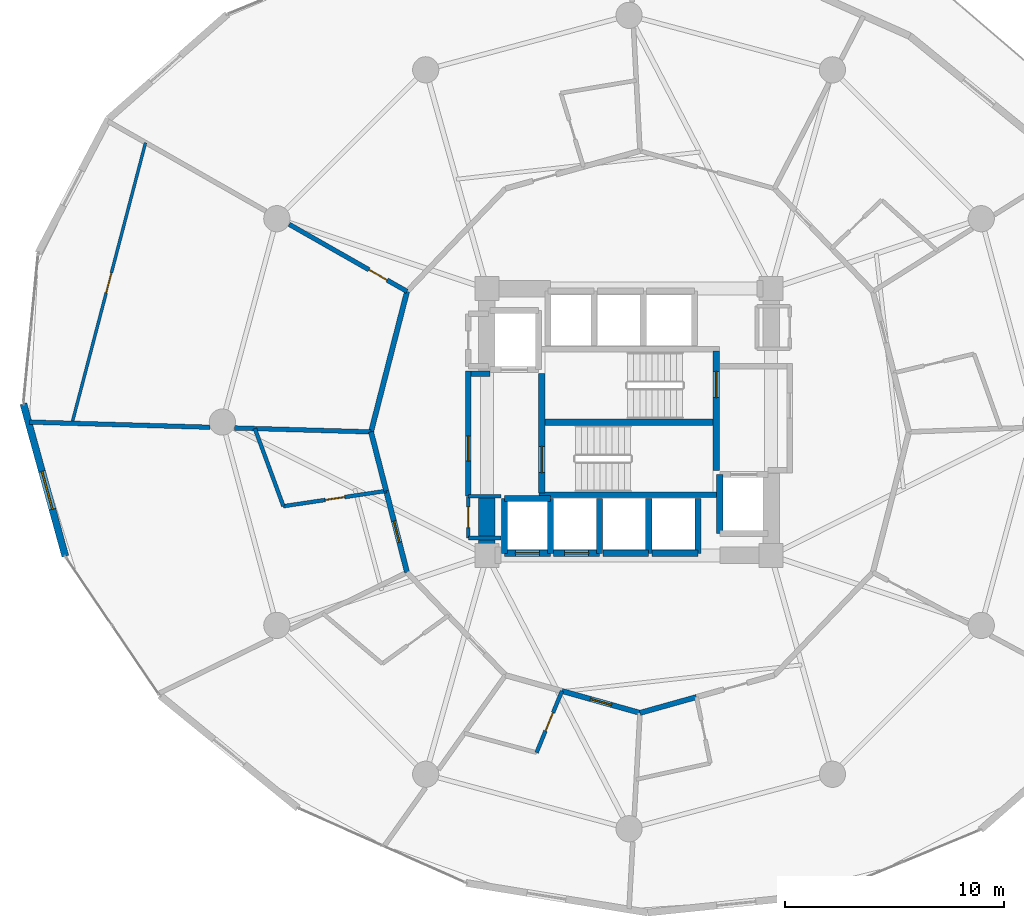
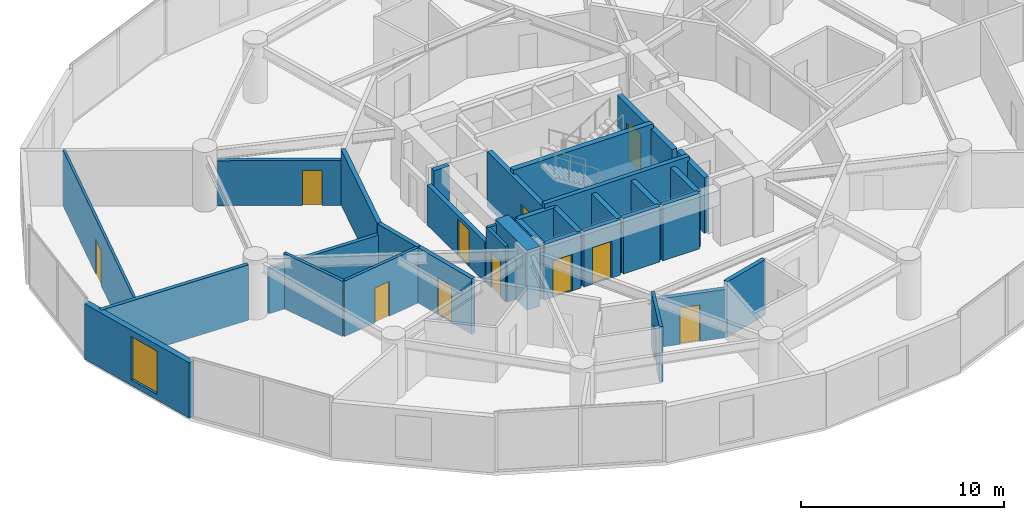
# One storey, part 20 of 26: 34 walls, 12 doors, 1 window, 13 openings.
"""IFC4 building model written with IfcOpenShell, lengths in metres."""

import ifcopenshell
import ifcopenshell.guid

model = None  # the IFC model being written
_history = None  # IfcOwnerHistory: only IFC2X3 demands one
_inside = {}  # id of a spatial element -> (the spatial element, [elements in it])
_under = {}  # id of a project, library or spatial element -> (it, [spatial elements below it])
_declared = {}  # id of a project -> (the project, [libraries it declares])
_typed = {}  # id of a type object -> (the type object, [elements of that type])
_made_of = {}  # id of a material, layer set ... -> (it, [elements and type objects made of it])


def new_model(schema):
    """Start an empty IFC model of exactly this schema.

    Asked for "IFC4X3", IfcOpenShell would pick the latest addendum, in which some entities
    have other attributes; the version numbers below select the first issue.
    IFC2X3 requires an IfcOwnerHistory on every rooted entity: one is made here for all.
    """
    global model, _history
    if schema == "IFC4X3":
        model = ifcopenshell.file(schema_version=(4, 3, 0, 0))
    else:
        model = ifcopenshell.file(schema=schema)
    _inside.clear()
    _under.clear()
    _declared.clear()
    _typed.clear()
    _made_of.clear()
    _history = None
    if model.schema == "IFC2X3":
        org = make("IfcOrganization", Name="unknown")
        user = make(
            "IfcPersonAndOrganization",
            ThePerson=make("IfcPerson", FamilyName="unknown"),
            TheOrganization=org,
        )
        app = make(
            "IfcApplication",
            ApplicationDeveloper=org,
            Version="unknown",
            ApplicationFullName="unknown",
            ApplicationIdentifier="unknown",
        )
        _history = make(
            "IfcOwnerHistory",
            OwningUser=user,
            OwningApplication=app,
            ChangeAction="ADDED",
            CreationDate=0,
        )
    return model


def make(cls, **values):
    """One entity of the class cls with the attributes given. An attribute that is None is left unset."""
    return model.create_entity(
        cls, **{name: value for name, value in values.items() if value is not None}
    )


def rooted(cls, **values):
    """An entity with a GlobalId (a new one), such as an element, a storey or a relation."""
    return make(cls, GlobalId=ifcopenshell.guid.new(), OwnerHistory=_history, **values)


def si_unit(unit_type, name, prefix=None):
    """IfcSIUnit, for example si_unit("LENGTHUNIT", "METRE", prefix="MILLI")."""
    return make("IfcSIUnit", UnitType=unit_type, Prefix=prefix, Name=name)


def assignment(units):
    """IfcUnitAssignment: the units of a project."""
    return None if units is None else make("IfcUnitAssignment", Units=units)


def point(xyz):
    """IfcCartesianPoint."""
    return None if xyz is None else make("IfcCartesianPoint", Coordinates=xyz)


def direction(xyz):
    """IfcDirection."""
    return None if xyz is None else make("IfcDirection", DirectionRatios=xyz)


def frame(location, z_axis=None, x_axis=None):
    """IfcAxis2Placement3D, a coordinate frame: its origin and axes. An axis left out is left unset."""
    return make(
        "IfcAxis2Placement3D",
        Location=point(location),
        Axis=direction(z_axis),
        RefDirection=direction(x_axis),
    )


def frame_2d(location, x_axis=None):
    """IfcAxis2Placement2D, a coordinate frame in the plane: its origin and x axis."""
    return make(
        "IfcAxis2Placement2D", Location=point(location), RefDirection=direction(x_axis)
    )


def origin():
    """The frame at (0, 0, 0) with its axes left unset."""
    return frame((0.0, 0.0, 0.0))


def place(relative_to, where):
    """IfcLocalPlacement: puts the frame where relative to a parent placement (None: the world)."""
    return make(
        "IfcLocalPlacement", PlacementRelTo=relative_to, RelativePlacement=where
    )


def context(
    kind, dimensions, precision=None, world=None, true_north=None, identifier=None
):
    """IfcGeometricRepresentationContext, for example the 3D "Model" context."""
    return make(
        "IfcGeometricRepresentationContext",
        ContextIdentifier=identifier,
        ContextType=kind,
        CoordinateSpaceDimension=dimensions,
        Precision=precision,
        WorldCoordinateSystem=world,
        TrueNorth=true_north,
    )


def subcontext(parent, identifier, kind, view, scale=None):
    """IfcGeometricRepresentationSubContext, for example "Body" below "Model"."""
    return make(
        "IfcGeometricRepresentationSubContext",
        ContextIdentifier=identifier,
        ContextType=kind,
        ParentContext=parent,
        TargetScale=scale,
        TargetView=view,
    )


def project(units=None, contexts=None):
    """IfcProject with its units and contexts."""
    return rooted(
        "IfcProject",
        Name="project",
        RepresentationContexts=contexts,
        UnitsInContext=assignment(units),
    )


def spatial(cls, under=None, at=None, **own):
    """A site, building, storey or space (cls), placed at a placement, below another one or the project."""
    s = rooted(cls, ObjectPlacement=at, **own)
    if under is not None:
        _under.setdefault(under.id(), (under, []))[1].append(s)
    return s


def profile(cls, at=None, kind="AREA", **sizes):
    """A parametric profile (cls). Its sizes go by their IFC names, for example OverallWidth=200.0."""
    return make(cls, ProfileType=kind, Position=at, **sizes)


def rectangle(**sizes):
    """IfcRectangleProfileDef."""
    return profile("IfcRectangleProfileDef", **sizes)


def extrude(swept, where, along, depth):
    """IfcExtrudedAreaSolid: the profile swept, set in the frame where, extruded along a direction by depth."""
    return make(
        "IfcExtrudedAreaSolid",
        SweptArea=swept,
        Position=where,
        ExtrudedDirection=direction(along),
        Depth=depth,
    )


def shape(context_of_items, identifier, shape_type, items):
    """IfcShapeRepresentation: the items that make up one representation, for example the "Body"."""
    return make(
        "IfcShapeRepresentation",
        ContextOfItems=context_of_items,
        RepresentationIdentifier=identifier,
        RepresentationType=shape_type,
        Items=items,
    )


def material(Name=None, Category=None):
    """IfcMaterial."""
    return make("IfcMaterial", Name=Name, Category=Category)


def layer(
    of_material, thickness, ventilated=None, Name=None, Category=None, Priority=None
):
    """IfcMaterialLayer: one layer of a wall or slab, of a material (None: an air gap)."""
    return make(
        "IfcMaterialLayer",
        Material=of_material,
        LayerThickness=thickness,
        IsVentilated=ventilated,
        Name=Name,
        Category=Category,
        Priority=Priority,
    )


def layer_set(layers, Name=None):
    """IfcMaterialLayerSet."""
    return make("IfcMaterialLayerSet", MaterialLayers=layers, LayerSetName=Name)


def made_of(thing, what):
    """Note that an element or type object is made of a material, layer set ...; save() writes the relation."""
    if what is not None:
        _made_of.setdefault(what.id(), (what, []))[1].append(thing)
    return thing


def type_object(cls, material=None, **own):
    """A type object (cls), such as IfcWallType, which elements share."""
    return made_of(rooted(cls, **own), material)


def element(
    cls,
    number,
    at=None,
    inside=None,
    cuts=None,
    type_object=None,
    material=None,
    context=None,
    identifier="Body",
    shape_type=None,
    held_by="IfcProductDefinitionShape",
    body=None,
    shapes=None,
    **own,
):
    """One element of the class cls, such as IfcWall. Its Tag is "e" and its number.

    at: its placement. inside: the storey or other place that contains it. cuts: it is an
    opening in that element (IfcRelVoidsElement). A single representation is given by context,
    identifier, shape_type and body (its items); several are given by shapes. held_by: the class
    of the entity that holds the representations. save() writes the other relations.
    """
    e = rooted(cls, Tag="e%d" % number, ObjectPlacement=at, **own)
    if body is not None:
        shapes = [shape(context, identifier, shape_type, body)]
    if shapes is not None:
        e.Representation = make(held_by, Representations=shapes)
    if inside is not None:
        _inside.setdefault(inside.id(), (inside, []))[1].append(e)
    if cuts is not None:
        rooted(
            "IfcRelVoidsElement", RelatingBuildingElement=cuts, RelatedOpeningElement=e
        )
    if type_object is not None:
        _typed.setdefault(type_object.id(), (type_object, []))[1].append(e)
    return made_of(e, material)


def fill(opening, filler):
    """IfcRelFillsElement: the door or window that sits in an opening."""
    return rooted(
        "IfcRelFillsElement",
        RelatingOpeningElement=opening,
        RelatedBuildingElement=filler,
    )


def aggregate(whole, parts):
    """IfcRelAggregates: a whole, such as a stair, and the parts it consists of."""
    return rooted("IfcRelAggregates", RelatingObject=whole, RelatedObjects=parts)


def save(model, path):
    """Write the relations noted so far, then the file.

    IfcRelAggregates (storeys below a building ...), IfcRelContainedInSpatialStructure (elements
    in a storey), IfcRelDefinesByType, IfcRelAssociatesMaterial and IfcRelDeclares: one each for
    every whole, place, type object, material and project.
    """
    for whole, parts in _under.values():
        aggregate(whole, parts)
    for where, things in _inside.values():
        rooted(
            "IfcRelContainedInSpatialStructure",
            RelatedElements=things,
            RelatingStructure=where,
        )
    for kind, things in _typed.values():
        rooted("IfcRelDefinesByType", RelatedObjects=things, RelatingType=kind)
    for what, things in _made_of.values():
        rooted("IfcRelAssociatesMaterial", RelatedObjects=things, RelatingMaterial=what)
    for by, libraries in _declared.values():
        rooted("IfcRelDeclares", RelatingContext=by, RelatedDefinitions=libraries)
    model.write(path)


model = new_model("IFC4")

# Units and contexts
model_context = context("Model", 3, precision=1e-05, world=origin(), true_north=direction((0.0, 1.0)))
body_context = subcontext(model_context, "Body", "Model", "MODEL_VIEW")
ifc_project = project(units=[si_unit("LENGTHUNIT", "METRE"), si_unit("AREAUNIT", "SQUARE_METRE"), si_unit("VOLUMEUNIT", "CUBIC_METRE"), si_unit("PLANEANGLEUNIT", "RADIAN"), si_unit("MASSUNIT", "GRAM", prefix="KILO")], contexts=[model_context])

# Site, building, storey
site_placement = place(None, origin())
site = spatial("IfcSite", under=ifc_project, at=site_placement, CompositionType="ELEMENT")
building_placement = place(site_placement, origin())
building = spatial("IfcBuilding", under=site, at=building_placement, Name="Solvirekh Grand Hotel", CompositionType="ELEMENT")
storey_placement = place(building_placement, frame((0.0, 0.0, 64.39990234375)))
storey = spatial("IfcBuildingStorey", under=building, at=storey_placement, Name="L15", CompositionType="ELEMENT", Elevation=64.39990234375)

# Wall
ifc_material_1 = material(Name="Concrete C50/60", Category="concrete")
ifc_layer_1 = layer(ifc_material_1, 0.35009765625)
ifc_layer_set_1 = layer_set([ifc_layer_1], Name="Concrete C50/60")
wall_type_1 = type_object("IfcWallType", Name="CoreDivWall_RC350", PredefinedType="SOLIDWALL", material=ifc_layer_set_1)
wall_1_placement = place(storey_placement, frame((-4.1298828125, -3.324951171875, 0.0), z_axis=(0.0, 0.0, 1.0), x_axis=(1.0, 0.0, 0.0)))
element("IfcWall", 1, at=wall_1_placement, inside=storey, type_object=wall_type_1, Name="L15 core stair box wall ST-S", PredefinedType="SOLIDWALL", context=body_context, shape_type="SweptSolid", body=[
    extrude(rectangle(XDim=8.259765625, YDim=0.25, at=frame_2d((4.1298828125, 0.0))), origin(), (0.0, 0.0, 1.0), 3.60009765625),
])

# Wall, opening, door
ifc_material_2 = material(Name="Concrete C40/50", Category="concrete")
ifc_layer_2 = layer(ifc_material_2, 0.280029296875)
ifc_layer_set_2 = layer_set([ifc_layer_2], Name="Concrete C40/50")
wall_type_2 = type_object("IfcWallType", Name="CoreShaftWall_RC280", PredefinedType="SOLIDWALL", material=ifc_layer_set_2)
wall_2_placement = place(storey_placement, frame((-5.699951171875, -6.0, 0.0), z_axis=(0.0, 0.0, 1.0), x_axis=(1.0, 0.0, 0.0)))
wall_2 = element("IfcWall", 2, at=wall_2_placement, inside=storey, type_object=wall_type_2, Name="L15 LP-1 hoistway S wall", PredefinedType="SOLIDWALL", context=body_context, shape_type="SweptSolid", body=[
    extrude(rectangle(XDim=2.099853515625, YDim=0.280029296875, at=frame_2d((1.0498046875, 0.0))), origin(), (0.0, 0.0, 1.0), 3.340087890625),
])
opening_1_placement = place(wall_2_placement, frame((0.5, 0.0, 0.0)))
opening_1 = element("IfcOpeningElement", 3, at=opening_1_placement, cuts=wall_2, Name="Opening LD01", PredefinedType="OPENING", context=body_context, shape_type="SweptSolid", body=[
    extrude(rectangle(XDim=1.10009765625, YDim=2.199951171875, at=frame_2d((0.550048828125, 1.10009765625))), frame((0.0, 0.14990234375, 0.0), z_axis=(0.0, -1.0, 0.0), x_axis=(1.0, 0.0, 0.0)), (0.0, 0.0, 1.0), 0.300048828125),
])
ifc_material_3 = material(Name="Fire-Rated Steel Door Assembly", Category="steel")
door_type_1 = type_object("IfcDoorType", Name="Door_LiftLanding_1100X2200", OperationType="SLIDING_TO_LEFT", PredefinedType="DOOR", material=ifc_material_3)
door_1_placement = place(opening_1_placement, origin())
door_1 = element("IfcDoor", 4, at=door_1_placement, inside=storey, type_object=door_type_1, Name="L15 LP-1 sliding lift landing door", OperationType="SLIDING_TO_LEFT", OverallHeight=2.199951171875, OverallWidth=1.10009765625, PredefinedType="DOOR", context=body_context, shape_type="SweptSolid", body=[
    extrude(rectangle(XDim=1.10009765625, YDim=2.199951171875, at=frame_2d((0.550048828125, 1.10009765625))), frame((0.0, 0.02490234375, 0.0), z_axis=(0.0, -1.0, 0.0), x_axis=(1.0, 0.0, 0.0)), (0.0, 0.0, 1.0), 0.050048828125),
])
fill(opening_1, door_1)

# Walls
wall_3_placement = place(storey_placement, frame((-3.60009765625, -3.5, 0.0), z_axis=(0.0, 0.0, 1.0), x_axis=(-1.0, 0.0, 0.0)))
element("IfcWall", 5, at=wall_3_placement, inside=storey, type_object=wall_type_2, Name="L15 LP-1 hoistway N wall", PredefinedType="SOLIDWALL", context=body_context, shape_type="SweptSolid", body=[
    extrude(rectangle(XDim=2.099853515625, YDim=0.280029296875, at=frame_2d((1.0498046875, 0.0))), origin(), (0.0, 0.0, 1.0), 3.340087890625),
])
for number, where, z_axis, x_axis, name in (
    (6, (-5.699951171875, -3.5, 0.0), (0.0, 0.0, 1.0), (0.0, -1.0, 0.0), "L15 LP-1 hoistway W wall"),
    (7, (-3.60009765625, -6.0, 0.0), (0.0, 0.0, 1.0), (0.0, 1.0, 0.0), "L15 LP-1 hoistway E wall"),
):
    element("IfcWall", number, at=place(storey_placement, frame(where, z_axis=z_axis, x_axis=x_axis)), inside=storey, type_object=wall_type_2, Name=name, PredefinedType="SOLIDWALL", context=body_context, shape_type="SweptSolid", body=[
        extrude(rectangle(XDim=2.5, YDim=0.280029296875, at=frame_2d((1.25, 0.0))), origin(), (0.0, 0.0, 1.0), 3.340087890625),
    ])

# Wall, opening, door
wall_4_placement = place(storey_placement, frame((-3.449951171875, -6.0, 0.0), z_axis=(0.0, 0.0, 1.0), x_axis=(1.0, 0.0, 0.0)))
wall_4 = element("IfcWall", 8, at=wall_4_placement, inside=storey, type_object=wall_type_2, Name="L15 LP-2 hoistway S wall", PredefinedType="SOLIDWALL", context=body_context, shape_type="SweptSolid", body=[
    extrude(rectangle(XDim=2.099853515625, YDim=0.280029296875, at=frame_2d((1.0498046875, 0.0))), origin(), (0.0, 0.0, 1.0), 3.340087890625),
])
opening_2_placement = place(wall_4_placement, frame((0.5, 0.0, 0.0)))
opening_2 = element("IfcOpeningElement", 9, at=opening_2_placement, cuts=wall_4, Name="Opening LD01", PredefinedType="OPENING", context=body_context, shape_type="SweptSolid", body=[
    extrude(rectangle(XDim=1.10009765625, YDim=2.199951171875, at=frame_2d((0.550048828125, 1.10009765625))), frame((0.0, 0.14990234375, 0.0), z_axis=(0.0, -1.0, 0.0), x_axis=(1.0, 0.0, 0.0)), (0.0, 0.0, 1.0), 0.300048828125),
])
door_2_placement = place(opening_2_placement, origin())
door_2 = element("IfcDoor", 10, at=door_2_placement, inside=storey, type_object=door_type_1, Name="L15 LP-2 sliding lift landing door", OperationType="SLIDING_TO_LEFT", OverallHeight=2.199951171875, OverallWidth=1.10009765625, PredefinedType="DOOR", context=body_context, shape_type="SweptSolid", body=[
    extrude(rectangle(XDim=1.10009765625, YDim=2.199951171875, at=frame_2d((0.550048828125, 1.10009765625))), frame((0.0, 0.02490234375, 0.0), z_axis=(0.0, -1.0, 0.0), x_axis=(1.0, 0.0, 0.0)), (0.0, 0.0, 1.0), 0.050048828125),
])
fill(opening_2, door_2)

# Walls
wall_5_placement = place(storey_placement, frame((-1.35009765625, -6.0, 0.0), z_axis=(0.0, 0.0, 1.0), x_axis=(0.0, 1.0, 0.0)))
element("IfcWall", 11, at=wall_5_placement, inside=storey, type_object=wall_type_2, Name="L15 LP-2 hoistway E wall", PredefinedType="SOLIDWALL", context=body_context, shape_type="SweptSolid", body=[
    extrude(rectangle(XDim=2.5, YDim=0.280029296875, at=frame_2d((1.25, 0.0))), origin(), (0.0, 0.0, 1.0), 3.340087890625),
])
wall_6_placement = place(storey_placement, frame((-1.199951171875, -6.0, 0.0), z_axis=(0.0, 0.0, 1.0), x_axis=(1.0, 0.0, 0.0)))
element("IfcWall", 12, at=wall_6_placement, inside=storey, type_object=wall_type_2, Name="L15 MP-1 hoistway S wall", PredefinedType="SOLIDWALL", context=body_context, shape_type="SweptSolid", body=[
    extrude(rectangle(XDim=2.099853515625, YDim=0.280029296875, at=frame_2d((1.0498046875, 0.0))), origin(), (0.0, 0.0, 1.0), 3.340087890625),
])
wall_7_placement = place(storey_placement, frame((0.89990234375, -6.0, 0.0), z_axis=(0.0, 0.0, 1.0), x_axis=(0.0, 1.0, 0.0)))
element("IfcWall", 13, at=wall_7_placement, inside=storey, type_object=wall_type_2, Name="L15 MP-1 hoistway E wall", PredefinedType="SOLIDWALL", context=body_context, shape_type="SweptSolid", body=[
    extrude(rectangle(XDim=2.5, YDim=0.280029296875, at=frame_2d((1.25, 0.0))), origin(), (0.0, 0.0, 1.0), 3.340087890625),
])
wall_8_placement = place(storey_placement, frame((1.050048828125, -6.0, 0.0), z_axis=(0.0, 0.0, 1.0), x_axis=(1.0, 0.0, 0.0)))
element("IfcWall", 14, at=wall_8_placement, inside=storey, type_object=wall_type_2, Name="L15 MP-2 hoistway S wall", PredefinedType="SOLIDWALL", context=body_context, shape_type="SweptSolid", body=[
    extrude(rectangle(XDim=2.099853515625, YDim=0.280029296875, at=frame_2d((1.0498046875, 0.0))), origin(), (0.0, 0.0, 1.0), 3.340087890625),
])
wall_9_placement = place(storey_placement, frame((3.14990234375, -6.0, 0.0), z_axis=(0.0, 0.0, 1.0), x_axis=(0.0, 1.0, 0.0)))
element("IfcWall", 15, at=wall_9_placement, inside=storey, type_object=wall_type_2, Name="L15 MP-2 hoistway E wall", PredefinedType="SOLIDWALL", context=body_context, shape_type="SweptSolid", body=[
    extrude(rectangle(XDim=2.5, YDim=0.280029296875, at=frame_2d((1.25, 0.0))), origin(), (0.0, 0.0, 1.0), 3.340087890625),
])
wall_10_placement = place(storey_placement, frame((4.14990234375, -2.39990234375, 0.0), z_axis=(0.0, 0.0, 1.0), x_axis=(0.0, -1.0, 0.0)))
element("IfcWall", 16, at=wall_10_placement, inside=storey, type_object=wall_type_2, Name="L15 FL-2 hoistway W wall", PredefinedType="SOLIDWALL", context=body_context, shape_type="SweptSolid", body=[
    extrude(rectangle(XDim=2.7001953125, YDim=0.280029296875, at=frame_2d((1.35009765625, 0.0))), origin(), (0.0, 0.0, 1.0), 3.340087890625),
])

# Wall, opening, door
wall_11_placement = place(storey_placement, frame((-3.989990234375, -3.25, 0.0), z_axis=(0.0, 0.0, 1.0), x_axis=(0.0, 1.0, 0.0)))
wall_11 = element("IfcWall", 17, at=wall_11_placement, inside=storey, type_object=wall_type_2, Name="L15 west stair landing enclosure wall", PredefinedType="SOLIDWALL", context=body_context, shape_type="SweptSolid", body=[
    extrude(rectangle(XDim=5.4599609375, YDim=0.280029296875, at=frame_2d((2.72998046875, 0.0))), origin(), (0.0, 0.0, 1.0), 3.340087890625),
])
opening_3_placement = place(wall_11_placement, frame((0.93701171875, 0.0, 0.0)))
opening_3 = element("IfcOpeningElement", 18, at=opening_3_placement, cuts=wall_11, Name="Opening D05", PredefinedType="OPENING", context=body_context, shape_type="SweptSolid", body=[
    extrude(rectangle(XDim=1.199951171875, YDim=2.199951171875, at=frame_2d((0.60009765625, 1.10009765625))), frame((0.0, 0.14990234375, 0.0), z_axis=(0.0, -1.0, 0.0), x_axis=(1.0, 0.0, 0.0)), (0.0, 0.0, 1.0), 0.300048828125),
])
door_type_2 = type_object("IfcDoorType", Name="Door_StairCore_1200X2200", OperationType="NOTDEFINED", PredefinedType="DOOR", material=ifc_material_3)
door_3_placement = place(opening_3_placement, origin())
door_3 = element("IfcDoor", 19, at=door_3_placement, inside=storey, type_object=door_type_2, Name="L15 exit stair ST-1 fire door", OperationType="SINGLE_SWING_RIGHT", OverallHeight=2.199951171875, OverallWidth=1.199951171875, PredefinedType="DOOR", context=body_context, shape_type="SweptSolid", body=[
    extrude(rectangle(XDim=1.199951171875, YDim=2.199951171875, at=frame_2d((0.60009765625, 1.10009765625))), frame((0.0, 0.02490234375, 0.0), z_axis=(0.0, -1.0, 0.0), x_axis=(1.0, 0.0, 0.0)), (0.0, 0.0, 1.0), 0.050048828125),
])
fill(opening_3, door_3)

wall_12_placement = place(storey_placement, frame((3.989990234375, -2.2099609375, 0.0), z_axis=(0.0, 0.0, 1.0), x_axis=(0.0, 1.0, 0.0)))
wall_12 = element("IfcWall", 20, at=wall_12_placement, inside=storey, type_object=wall_type_2, Name="L15 east stair landing enclosure wall", PredefinedType="SOLIDWALL", context=body_context, shape_type="SweptSolid", body=[
    extrude(rectangle(XDim=5.4599609375, YDim=0.280029296875, at=frame_2d((2.72998046875, 0.0))), origin(), (0.0, 0.0, 1.0), 3.340087890625),
])
opening_4_placement = place(wall_12_placement, frame((3.322998046875, 0.0, 0.0)))
opening_4 = element("IfcOpeningElement", 21, at=opening_4_placement, cuts=wall_12, Name="Opening D05", PredefinedType="OPENING", context=body_context, shape_type="SweptSolid", body=[
    extrude(rectangle(XDim=1.199951171875, YDim=2.199951171875, at=frame_2d((0.60009765625, 1.10009765625))), frame((0.0, 0.14990234375, 0.0), z_axis=(0.0, -1.0, 0.0), x_axis=(1.0, 0.0, 0.0)), (0.0, 0.0, 1.0), 0.300048828125),
])
door_4_placement = place(opening_4_placement, origin())
door_4 = element("IfcDoor", 22, at=door_4_placement, inside=storey, type_object=door_type_2, Name="L15 exit stair ST-2 fire door", OperationType="SINGLE_SWING_LEFT", OverallHeight=2.199951171875, OverallWidth=1.199951171875, PredefinedType="DOOR", context=body_context, shape_type="SweptSolid", body=[
    extrude(rectangle(XDim=1.199951171875, YDim=2.199951171875, at=frame_2d((0.60009765625, 1.10009765625))), frame((0.0, 0.02490234375, 0.0), z_axis=(0.0, -1.0, 0.0), x_axis=(1.0, 0.0, 0.0)), (0.0, 0.0, 1.0), 0.050048828125),
])
fill(opening_4, door_4)

# Walls
ifc_material_4 = material(Name="Concrete C60/75", Category="concrete")
ifc_layer_3 = layer(ifc_material_4, 0.75)
ifc_layer_set_3 = layer_set([ifc_layer_3], Name="Concrete C60/75")
wall_type_3 = type_object("IfcWallType", Name="CoreWall_RC750", PredefinedType="SHEAR", material=ifc_layer_set_3)
wall_13_placement = place(storey_placement, frame((-3.989990234375, 0.0, 0.0), z_axis=(0.0, 0.0, 1.0), x_axis=(1.0, 0.0, 0.0)))
element("IfcWall", 23, at=wall_13_placement, inside=storey, type_object=wall_type_3, Name="L15 central stair-spine shear wall", PredefinedType="SHEAR", context=body_context, shape_type="SweptSolid", body=[
    extrude(rectangle(XDim=7.97998046875, YDim=0.300048828125, at=frame_2d((3.989990234375, 0.0))), origin(), (0.0, 0.0, 1.0), 3.60009765625),
])
wall_14_placement = place(storey_placement, frame((-6.5, -6.47509765625, 0.0), z_axis=(0.0, 0.0, 1.0), x_axis=(0.0, 1.0, 0.0)))
element("IfcWall", 24, at=wall_14_placement, inside=storey, type_object=wall_type_3, Name="L15 core corner shear wall WS-W", PredefinedType="SHEAR", context=body_context, shape_type="SweptSolid", body=[
    extrude(rectangle(XDim=3.125, YDim=0.75, at=frame_2d((1.5625, 0.0))), origin(), (0.0, 0.0, 1.0), 3.60009765625),
])

# Wall, opening, window
ifc_material_5 = material(Name="Precast concrete C45/55", Category="concrete")
ifc_layer_4 = layer(ifc_material_5, 0.320068359375)
ifc_layer_set_4 = layer_set([ifc_layer_4], Name="Precast concrete C45/55")
wall_type_4 = type_object("IfcWallType", Name="ExtLobbyWall_RC320", PredefinedType="SOLIDWALL", material=ifc_layer_set_4)
wall_15_placement = place(storey_placement, frame((-25.781982421875, -6.135009765625, 0.0), z_axis=(0.0, 0.0, 1.0), x_axis=(-0.265132950738, 0.964211863873, 0.0)))
wall_15 = element("IfcWall", 25, at=wall_15_placement, inside=storey, type_object=wall_type_4, Name="L15 exterior structural wall chord 12", PredefinedType="SOLIDWALL", context=body_context, shape_type="SweptSolid", body=[
    extrude(rectangle(XDim=7.23388671875, YDim=0.320068359375, at=frame_2d((3.616943359375, 0.0))), origin(), (0.0, 0.0, 1.0), 3.340087890625),
])
opening_5_placement = place(wall_15_placement, frame((2.22607421875, 0.0, 0.35009765625)))
opening_5 = element("IfcOpeningElement", 26, at=opening_5_placement, cuts=wall_15, Name="Opening W02", PredefinedType="OPENING", context=body_context, shape_type="SweptSolid", body=[
    extrude(rectangle(XDim=1.800048828125, YDim=2.60009765625, at=frame_2d((0.89990234375, 1.300048828125))), frame((0.0, 0.169921875, 0.0), z_axis=(0.0, -1.0, 0.0), x_axis=(1.0, 0.0, 0.0)), (0.0, 0.0, 1.0), 0.340087890625),
])
ifc_material_6 = material(Name="Low-E Tinted Bronze Laminated Glass", Category="aluminium")
window_type = type_object("IfcWindowType", Name="Win_LobbyExt_1800X2600", PartitioningType="SINGLE_PANEL", PredefinedType="WINDOW", material=ifc_material_6)
window_placement = place(opening_5_placement, origin())
window = element("IfcWindow", 27, at=window_placement, inside=storey, type_object=window_type, Name="L15 panoramic bronze-framed window 12", OverallHeight=2.60009765625, OverallWidth=1.800048828125, PartitioningType="SINGLE_PANEL", PredefinedType="WINDOW", context=body_context, shape_type="SweptSolid", body=[
    extrude(rectangle(XDim=1.800048828125, YDim=2.60009765625, at=frame_2d((0.89990234375, 1.300048828125))), frame((0.0, 0.030029296875, 0.0), z_axis=(0.0, -1.0, 0.0), x_axis=(1.0, 0.0, 0.0)), (0.0, 0.0, 1.0), 0.06005859375),
])
fill(opening_5, window)

# Walls
ifc_material_7 = material(Name="Acoustic Gypsum Partition Assembly")
ifc_layer_5 = layer(ifc_material_7, 0.1650390625)
ifc_layer_set_5 = layer_set([ifc_layer_5], Name="Acoustic Gypsum Partition Assembly")
wall_type_5 = type_object("IfcWallType", Name="Part_BOH_165", PredefinedType="PARTITIONING", material=ifc_layer_set_5)
wall_16_placement = place(storey_placement, frame((-7.35009765625, -5.300048828125, 0.0), z_axis=(0.0, 0.0, 1.0), x_axis=(1.0, 0.0, 0.0)))
element("IfcWall", 28, at=wall_16_placement, inside=storey, type_object=wall_type_5, Name="L15 L15 Butler Service Closet wall 1", PredefinedType="PARTITIONING", context=body_context, shape_type="SweptSolid", body=[
    extrude(rectangle(XDim=1.5, YDim=0.1650390625, at=frame_2d((0.75, 0.0))), origin(), (0.0, 0.0, 1.0), 2.425048828125),
])
wall_17_placement = place(storey_placement, frame((-5.85009765625, -3.39990234375, 0.0), z_axis=(0.0, 0.0, 1.0), x_axis=(-1.0, 0.0, 0.0)))
element("IfcWall", 29, at=wall_17_placement, inside=storey, type_object=wall_type_5, Name="L15 L15 Butler Service Closet wall 3", PredefinedType="PARTITIONING", context=body_context, shape_type="SweptSolid", body=[
    extrude(rectangle(XDim=1.5, YDim=0.1650390625, at=frame_2d((0.75, 0.0))), origin(), (0.0, 0.0, 1.0), 3.340087890625),
])

# Wall, opening, door
wall_18_placement = place(storey_placement, frame((-7.35009765625, -3.39990234375, 0.0), z_axis=(0.0, 0.0, 1.0), x_axis=(0.0, -1.0, 0.0)))
wall_18 = element("IfcWall", 30, at=wall_18_placement, inside=storey, type_object=wall_type_5, Name="L15 L15 Butler Service Closet wall 4", PredefinedType="PARTITIONING", context=body_context, shape_type="SweptSolid", body=[
    extrude(rectangle(XDim=1.900146484375, YDim=0.1650390625, at=frame_2d((0.9501953125, 0.0))), origin(), (0.0, 0.0, 1.0), 3.340087890625),
])
opening_6_placement = place(wall_18_placement, frame((0.47509765625, 0.0, 0.0)))
opening_6 = element("IfcOpeningElement", 31, at=opening_6_placement, cuts=wall_18, Name="Opening D10", PredefinedType="OPENING", context=body_context, shape_type="SweptSolid", body=[
    extrude(rectangle(XDim=0.949951171875, YDim=2.10009765625, at=frame_2d((0.47509765625, 1.050048828125))), frame((0.0, 0.092529296875, 0.0), z_axis=(0.0, -1.0, 0.0), x_axis=(1.0, 0.0, 0.0)), (0.0, 0.0, 1.0), 0.18505859375),
])
ifc_material_8 = material(Name="Anodized Bronze Aluminium 6063-T6", Category="aluminium")
door_type_3 = type_object("IfcDoorType", Name="Door_RoomInt_950X2100", OperationType="NOTDEFINED", PredefinedType="DOOR", material=ifc_material_8)
door_5_placement = place(opening_6_placement, origin())
door_5 = element("IfcDoor", 32, at=door_5_placement, inside=storey, type_object=door_type_3, Name="L15 L15 Butler Service Closet door", OperationType="SINGLE_SWING_LEFT", OverallHeight=2.10009765625, OverallWidth=0.949951171875, PredefinedType="DOOR", context=body_context, shape_type="SweptSolid", body=[
    extrude(rectangle(XDim=0.949951171875, YDim=2.10009765625, at=frame_2d((0.47509765625, 1.050048828125))), frame((0.0, 0.02490234375, 0.0), z_axis=(0.0, -1.0, 0.0), x_axis=(1.0, 0.0, 0.0)), (0.0, 0.0, 1.0), 0.050048828125),
])
fill(opening_6, door_5)

ifc_layer_6 = layer(ifc_material_7, 0.239990234375)
ifc_layer_set_6 = layer_set([ifc_layer_6], Name="Acoustic Gypsum Partition Assembly")
wall_type_6 = type_object("IfcWallType", Name="Part_Corridor_240", PredefinedType="PARTITIONING", material=ifc_layer_set_6)
wall_19_placement = place(storey_placement, frame((-7.35009765625, -3.3798828125, 0.0), z_axis=(0.0, 0.0, 1.0), x_axis=(0.0, 1.0, 0.0)))
wall_19 = element("IfcWall", 33, at=wall_19_placement, inside=storey, type_object=wall_type_6, Name="L15 west firefighting lobby smoke screen wall", PredefinedType="PARTITIONING", context=body_context, shape_type="SweptSolid", body=[
    extrude(rectangle(XDim=5.719970703125, YDim=0.239990234375, at=frame_2d((2.85986328125, 0.0))), origin(), (0.0, 0.0, 1.0), 2.425048828125),
])
opening_7_placement = place(wall_19_placement, frame((1.59912109375, 0.0, 0.0)))
opening_7 = element("IfcOpeningElement", 34, at=opening_7_placement, cuts=wall_19, Name="Opening D06", PredefinedType="OPENING", context=body_context, shape_type="SweptSolid", body=[
    extrude(rectangle(XDim=1.14990234375, YDim=2.199951171875, at=frame_2d((0.574951171875, 1.10009765625))), frame((0.0, 0.1298828125, 0.0), z_axis=(0.0, -1.0, 0.0), x_axis=(1.0, 0.0, 0.0)), (0.0, 0.0, 1.0), 0.260009765625),
])
door_type_4 = type_object("IfcDoorType", Name="Door_FFLobby_1150X2200", OperationType="NOTDEFINED", PredefinedType="DOOR", material=ifc_material_3)
door_6_placement = place(opening_7_placement, origin())
door_6 = element("IfcDoor", 35, at=door_6_placement, inside=storey, type_object=door_type_4, Name="L15 west firefighting lobby smoke door", OperationType="SINGLE_SWING_RIGHT", OverallHeight=2.199951171875, OverallWidth=1.14990234375, PredefinedType="DOOR", context=body_context, shape_type="SweptSolid", body=[
    extrude(rectangle(XDim=1.14990234375, YDim=2.199951171875, at=frame_2d((0.574951171875, 1.10009765625))), frame((0.0, 0.02490234375, 0.0), z_axis=(0.0, -1.0, 0.0), x_axis=(1.0, 0.0, 0.0)), (0.0, 0.0, 1.0), 0.050048828125),
])
fill(opening_7, door_6)

# Walls
wall_20_placement = place(storey_placement, frame((-10.152099609375, 5.97509765625, 0.0), z_axis=(0.0, 0.0, 1.0), x_axis=(-0.248446193127, -0.968645698447, 0.0)))
element("IfcWall", 36, at=wall_20_placement, inside=storey, type_object=wall_type_6, Name="L15 Diplomatic Suite 1701 Suite Foyer corridor enclosure wall", PredefinedType="PARTITIONING", context=body_context, shape_type="SweptSolid", body=[
    extrude(rectangle(XDim=6.633056640625, YDim=0.239990234375, at=frame_2d((3.31640625, 0.0))), origin(), (0.0, 0.0, 1.0), 3.340087890625),
])
wall_21_placement = place(storey_placement, frame((-11.800048828125, -0.449951171875, 0.0), z_axis=(0.0, 0.0, 1.0), x_axis=(0.248491333658, -0.968634119313, 0.0)))
element("IfcWall", 37, at=wall_21_placement, inside=storey, type_object=wall_type_6, Name="L15 En-suite Bathroom 1702 corridor backing wall", PredefinedType="PARTITIONING", context=body_context, shape_type="SweptSolid", body=[
    extrude(rectangle(XDim=2.785400390625, YDim=0.239990234375, at=frame_2d((1.392578125, 0.0))), origin(), (0.0, 0.0, 1.0), 3.340087890625),
])

# Wall, opening, door
wall_22_placement = place(storey_placement, frame((-11.10791015625, -3.14794921875, 0.0), z_axis=(0.0, 0.0, 1.0), x_axis=(0.248413515056, -0.9686540794, 0.0)))
wall_22 = element("IfcWall", 38, at=wall_22_placement, inside=storey, type_object=wall_type_6, Name="L15 Deluxe Guestroom 1702 entrance wall", PredefinedType="PARTITIONING", context=body_context, shape_type="SweptSolid", body=[
    extrude(rectangle(XDim=3.84765625, YDim=0.239990234375, at=frame_2d((1.923828125, 0.0))), origin(), (0.0, 0.0, 1.0), 3.340087890625),
])
opening_8_placement = place(wall_22_placement, frame((1.424072265625, 0.0, 0.0)))
opening_8 = element("IfcOpeningElement", 39, at=opening_8_placement, cuts=wall_22, Name="Opening D07", PredefinedType="OPENING", context=body_context, shape_type="SweptSolid", body=[
    extrude(rectangle(XDim=1.0, YDim=2.199951171875, at=frame_2d((0.5, 1.10009765625))), frame((0.0, 0.1298828125, 0.0), z_axis=(0.0, -1.0, 0.0), x_axis=(1.0, 0.0, 0.0)), (0.0, 0.0, 1.0), 0.260009765625),
])
door_type_5 = type_object("IfcDoorType", Name="Door_GuestEntry_1000X2200", OperationType="NOTDEFINED", PredefinedType="DOOR", material=ifc_material_3)
door_7_placement = place(opening_8_placement, origin())
door_7 = element("IfcDoor", 40, at=door_7_placement, inside=storey, type_object=door_type_5, Name="L15 Deluxe Guestroom 1702 entrance door", OperationType="SINGLE_SWING_RIGHT", OverallHeight=2.199951171875, OverallWidth=1.0, PredefinedType="DOOR", context=body_context, shape_type="SweptSolid", body=[
    extrude(rectangle(XDim=1.0, YDim=2.199951171875, at=frame_2d((0.5, 1.10009765625))), frame((0.0, 0.02490234375, 0.0), z_axis=(0.0, -1.0, 0.0), x_axis=(1.0, 0.0, 0.0)), (0.0, 0.0, 1.0), 0.050048828125),
])
fill(opening_8, door_7)

wall_23_placement = place(storey_placement, frame((-3.06689453125, -12.301025390625, 0.0), z_axis=(0.0, 0.0, 1.0), x_axis=(0.962943481199, -0.269703266603, 0.0)))
wall_23 = element("IfcWall", 41, at=wall_23_placement, inside=storey, type_object=wall_type_6, Name="L15 Deluxe Guestroom 1704 entrance wall", PredefinedType="PARTITIONING", context=body_context, shape_type="SweptSolid", body=[
    extrude(rectangle(XDim=3.7041015625, YDim=0.239990234375, at=frame_2d((1.85205078125, 0.0))), origin(), (0.0, 0.0, 1.0), 2.9169921875),
])
opening_9_placement = place(wall_23_placement, frame((1.35205078125, 0.0, 0.0)))
opening_9 = element("IfcOpeningElement", 42, at=opening_9_placement, cuts=wall_23, Name="Opening D07", PredefinedType="OPENING", context=body_context, shape_type="SweptSolid", body=[
    extrude(rectangle(XDim=1.0, YDim=2.199951171875, at=frame_2d((0.5, 1.10009765625))), frame((0.0, 0.1298828125, 0.0), z_axis=(0.0, -1.0, 0.0), x_axis=(1.0, 0.0, 0.0)), (0.0, 0.0, 1.0), 0.260009765625),
])
door_8_placement = place(opening_9_placement, origin())
door_8 = element("IfcDoor", 43, at=door_8_placement, inside=storey, type_object=door_type_5, Name="L15 Deluxe Guestroom 1704 entrance door", OperationType="SINGLE_SWING_RIGHT", OverallHeight=2.199951171875, OverallWidth=1.0, PredefinedType="DOOR", context=body_context, shape_type="SweptSolid", body=[
    extrude(rectangle(XDim=1.0, YDim=2.199951171875, at=frame_2d((0.5, 1.10009765625))), frame((0.0, 0.02490234375, 0.0), z_axis=(0.0, -1.0, 0.0), x_axis=(1.0, 0.0, 0.0)), (0.0, 0.0, 1.0), 0.050048828125),
])
fill(opening_9, door_8)

# Walls
wall_24_placement = place(storey_placement, frame((0.5, -13.300048828125, 0.0), z_axis=(0.0, 0.0, 1.0), x_axis=(0.96297347206, 0.269596164862, 0.0)))
element("IfcWall", 44, at=wall_24_placement, inside=storey, type_object=wall_type_6, Name="L15 En-suite Bathroom 1705 corridor backing wall", PredefinedType="PARTITIONING", context=body_context, shape_type="SweptSolid", body=[
    extrude(rectangle(XDim=2.682373046875, YDim=0.239990234375, at=frame_2d((1.34130859375, 0.0))), origin(), (0.0, 0.0, 1.0), 3.340087890625),
])
ifc_layer_7 = layer(ifc_material_7, 0.260009765625)
ifc_layer_set_7 = layer_set([ifc_layer_7], Name="Acoustic Gypsum Partition Assembly")
wall_type_7 = type_object("IfcWallType", Name="Part_LobbyFF_260", PredefinedType="PARTITIONING", material=ifc_layer_set_7)
wall_25_placement = place(storey_placement, frame((-7.22509765625, 2.2099609375, 0.0), z_axis=(0.0, 0.0, 1.0), x_axis=(1.0, 0.0, 0.0)))
element("IfcWall", 45, at=wall_25_placement, inside=storey, type_object=wall_type_7, Name="L15 west firefighting lobby NW cheek", PredefinedType="PARTITIONING", context=body_context, shape_type="SweptSolid", body=[
    extrude(rectangle(XDim=0.875, YDim=0.260009765625, at=frame_2d((0.4375, 0.0))), origin(), (0.0, 0.0, 1.0), 3.340087890625),
])

# Wall, opening, door
ifc_layer_8 = layer(ifc_material_7, 0.135009765625)
ifc_layer_set_8 = layer_set([ifc_layer_8], Name="Acoustic Gypsum Partition Assembly")
wall_type_8 = type_object("IfcWallType", Name="Part_RoomInt_135", PredefinedType="PARTITIONING", material=ifc_layer_set_8)
wall_26_placement = place(storey_placement, frame((-22.112060546875, 12.781005859375, 0.0), z_axis=(0.0, 0.0, 1.0), x_axis=(-0.253429078168, -0.967353969516, 0.0)))
wall_26 = element("IfcWall", 46, at=wall_26_placement, inside=storey, type_object=wall_type_8, Name="L15 Diplomatic Suite 1701 Suite Foyer bedroom screen wall", PredefinedType="PARTITIONING", context=body_context, shape_type="SweptSolid", body=[
    extrude(rectangle(XDim=13.27001953125, YDim=0.135009765625, at=frame_2d((6.635009765625, 0.0))), origin(), (0.0, 0.0, 1.0), 3.340087890625),
])
opening_10_placement = place(wall_26_placement, frame((6.159912109375, 0.0, 0.0)))
opening_10 = element("IfcOpeningElement", 47, at=opening_10_placement, cuts=wall_26, Name="Opening D10", PredefinedType="OPENING", context=body_context, shape_type="SweptSolid", body=[
    extrude(rectangle(XDim=0.949951171875, YDim=2.10009765625, at=frame_2d((0.47509765625, 1.050048828125))), frame((0.0, 0.07763671875, 0.0), z_axis=(0.0, -1.0, 0.0), x_axis=(1.0, 0.0, 0.0)), (0.0, 0.0, 1.0), 0.155029296875),
])
door_9_placement = place(opening_10_placement, origin())
door_9 = element("IfcDoor", 48, at=door_9_placement, inside=storey, type_object=door_type_3, Name="L15 Diplomatic Suite 1701 Suite Foyer master bedroom door", OperationType="SINGLE_SWING_RIGHT", OverallHeight=2.10009765625, OverallWidth=0.949951171875, PredefinedType="DOOR", context=body_context, shape_type="SweptSolid", body=[
    extrude(rectangle(XDim=0.949951171875, YDim=2.10009765625, at=frame_2d((0.47509765625, 1.050048828125))), frame((0.0, 0.02490234375, 0.0), z_axis=(0.0, -1.0, 0.0), x_axis=(1.0, 0.0, 0.0)), (0.0, 0.0, 1.0), 0.050048828125),
])
fill(opening_10, door_9)

ifc_layer_9 = layer(ifc_material_7, 0.2099609375)
ifc_layer_set_9 = layer_set([ifc_layer_9], Name="Acoustic Gypsum Partition Assembly")
wall_type_9 = type_object("IfcWallType", Name="Part_SuiteDemise_210", PredefinedType="PARTITIONING", material=ifc_layer_set_9)
wall_27_placement = place(storey_placement, frame((-10.152099609375, 5.97509765625, 0.0), z_axis=(0.0, 0.0, 1.0), x_axis=(-0.869157123992, 0.494536038944, 0.0)))
wall_27 = element("IfcWall", 49, at=wall_27_placement, inside=storey, type_object=wall_type_9, Name="L15 suite radial wall 6 (A)", PredefinedType="PARTITIONING", context=body_context, shape_type="SweptSolid", body=[
    extrude(rectangle(XDim=6.20361328125, YDim=0.2099609375, at=frame_2d((3.101806640625, 0.0))), origin(), (0.0, 0.0, 1.0), 2.7080078125),
])
opening_11_placement = place(wall_27_placement, frame((1.051025390625, 0.0, 0.0)))
opening_11 = element("IfcOpeningElement", 50, at=opening_11_placement, cuts=wall_27, Name="Opening D10", PredefinedType="OPENING", context=body_context, shape_type="SweptSolid", body=[
    extrude(rectangle(XDim=0.949951171875, YDim=2.10009765625, at=frame_2d((0.47509765625, 1.050048828125))), frame((0.0, 0.114990234375, 0.0), z_axis=(0.0, -1.0, 0.0), x_axis=(1.0, 0.0, 0.0)), (0.0, 0.0, 1.0), 0.22998046875),
])
door_10_placement = place(opening_11_placement, origin())
door_10 = element("IfcDoor", 51, at=door_10_placement, inside=storey, type_object=door_type_3, Name="L15 Diplomatic Suite 1701 Suite Foyer suite connecting door", OperationType="SINGLE_SWING_LEFT", OverallHeight=2.10009765625, OverallWidth=0.949951171875, PredefinedType="DOOR", context=body_context, shape_type="SweptSolid", body=[
    extrude(rectangle(XDim=0.949951171875, YDim=2.10009765625, at=frame_2d((0.47509765625, 1.050048828125))), frame((0.0, 0.02490234375, 0.0), z_axis=(0.0, -1.0, 0.0), x_axis=(1.0, 0.0, 0.0)), (0.0, 0.0, 1.0), 0.050048828125),
])
fill(opening_11, door_10)

# Walls
wall_28_placement = place(storey_placement, frame((-11.800048828125, -0.449951171875, 0.0), z_axis=(0.0, 0.0, 1.0), x_axis=(-0.999584783233, 0.02881425217, 0.0)))
element("IfcWall", 52, at=wall_28_placement, inside=storey, type_object=wall_type_9, Name="L15 suite radial wall 7 (A)", PredefinedType="PARTITIONING", context=body_context, shape_type="SweptSolid", body=[
    extrude(rectangle(XDim=6.24462890625, YDim=0.2099609375, at=frame_2d((3.122314453125, 0.0))), origin(), (0.0, 0.0, 1.0), 2.7080078125),
])
wall_29_placement = place(storey_placement, frame((-19.173095703125, -0.238037109375, 0.0), z_axis=(0.0, 0.0, 1.0), x_axis=(-0.999584602295, 0.028820528366, 0.0)))
element("IfcWall", 53, at=wall_29_placement, inside=storey, type_object=wall_type_9, Name="L15 suite radial wall 7 (B)", PredefinedType="PARTITIONING", context=body_context, shape_type="SweptSolid", body=[
    extrude(rectangle(XDim=8.25927734375, YDim=0.2099609375, at=frame_2d((4.129638671875, 0.0))), origin(), (0.0, 0.0, 1.0), 3.340087890625),
])
ifc_layer_10 = layer(ifc_material_7, 0.175048828125)
ifc_layer_set_10 = layer_set([ifc_layer_10], Name="Acoustic Gypsum Partition Assembly")
wall_type_10 = type_object("IfcWallType", Name="Plumb_Ensuite_175", PredefinedType="PLUMBINGWALL", material=ifc_layer_set_10)
wall_30_placement = place(storey_placement, frame((-17.114013671875, -0.297119140625, 0.0), z_axis=(0.0, 0.0, 1.0), x_axis=(0.345460156776, -0.938433418033, 0.0)))
element("IfcWall", 54, at=wall_30_placement, inside=storey, type_object=wall_type_10, Name="L15 En-suite Bathroom 1702 outer plumbing wall", PredefinedType="PLUMBINGWALL", context=body_context, shape_type="SweptSolid", body=[
    extrude(rectangle(XDim=3.78369140625, YDim=0.175048828125, at=frame_2d((1.891845703125, 0.0))), origin(), (0.0, 0.0, 1.0), 3.340087890625),
])

# Wall, opening, door
wall_31_placement = place(storey_placement, frame((-11.10791015625, -3.14794921875, 0.0), z_axis=(0.0, 0.0, 1.0), x_axis=(-0.989086991432, -0.147332696235, 0.0)))
wall_31 = element("IfcWall", 55, at=wall_31_placement, inside=storey, type_object=wall_type_10, Name="L15 En-suite Bathroom 1702 entry plumbing wall", PredefinedType="PLUMBINGWALL", context=body_context, shape_type="SweptSolid", body=[
    extrude(rectangle(XDim=4.750732421875, YDim=0.175048828125, at=frame_2d((2.37548828125, 0.0))), origin(), (0.0, 0.0, 1.0), 3.340087890625),
])
opening_12_placement = place(wall_31_placement, frame((1.925048828125, 0.0, 0.0)))
opening_12 = element("IfcOpeningElement", 56, at=opening_12_placement, cuts=wall_31, Name="Opening D09", PredefinedType="OPENING", context=body_context, shape_type="SweptSolid", body=[
    extrude(rectangle(XDim=0.89990234375, YDim=2.10009765625, at=frame_2d((0.449951171875, 1.050048828125))), frame((0.0, 0.09765625, 0.0), z_axis=(0.0, -1.0, 0.0), x_axis=(1.0, 0.0, 0.0)), (0.0, 0.0, 1.0), 0.195068359375),
])
door_type_6 = type_object("IfcDoorType", Name="Door_Ensuite_900X2100", OperationType="NOTDEFINED", PredefinedType="DOOR", material=ifc_material_8)
door_11_placement = place(opening_12_placement, origin())
door_11 = element("IfcDoor", 57, at=door_11_placement, inside=storey, type_object=door_type_6, Name="L15 En-suite Bathroom 1702 door", OperationType="SINGLE_SWING_LEFT", OverallHeight=2.10009765625, OverallWidth=0.89990234375, PredefinedType="DOOR", context=body_context, shape_type="SweptSolid", body=[
    extrude(rectangle(XDim=0.89990234375, YDim=2.10009765625, at=frame_2d((0.449951171875, 1.050048828125))), frame((0.0, 0.02490234375, 0.0), z_axis=(0.0, -1.0, 0.0), x_axis=(1.0, 0.0, 0.0)), (0.0, 0.0, 1.0), 0.050048828125),
])
fill(opening_12, door_11)

wall_32_placement = place(storey_placement, frame((-3.06689453125, -12.301025390625, 0.0), z_axis=(0.0, 0.0, 1.0), x_axis=(-0.381757178114, -0.924262655828, 0.0)))
wall_32 = element("IfcWall", 58, at=wall_32_placement, inside=storey, type_object=wall_type_10, Name="L15 En-suite Bathroom 1704 entry plumbing wall", PredefinedType="PLUMBINGWALL", context=body_context, shape_type="SweptSolid", body=[
    extrude(rectangle(XDim=3.046630859375, YDim=0.175048828125, at=frame_2d((1.5234375, 0.0))), origin(), (0.0, 0.0, 1.0), 3.340087890625),
])
opening_13_placement = place(wall_32_placement, frame((1.072998046875, 0.0, 0.0)))
opening_13 = element("IfcOpeningElement", 59, at=opening_13_placement, cuts=wall_32, Name="Opening D09", PredefinedType="OPENING", context=body_context, shape_type="SweptSolid", body=[
    extrude(rectangle(XDim=0.89990234375, YDim=2.10009765625, at=frame_2d((0.449951171875, 1.050048828125))), frame((0.0, 0.09765625, 0.0), z_axis=(0.0, -1.0, 0.0), x_axis=(1.0, 0.0, 0.0)), (0.0, 0.0, 1.0), 0.195068359375),
])
door_12_placement = place(opening_13_placement, origin())
door_12 = element("IfcDoor", 60, at=door_12_placement, inside=storey, type_object=door_type_6, Name="L15 En-suite Bathroom 1704 door", OperationType="SINGLE_SWING_LEFT", OverallHeight=2.10009765625, OverallWidth=0.89990234375, PredefinedType="DOOR", context=body_context, shape_type="SweptSolid", body=[
    extrude(rectangle(XDim=0.89990234375, YDim=2.10009765625, at=frame_2d((0.449951171875, 1.050048828125))), frame((0.0, 0.02490234375, 0.0), z_axis=(0.0, -1.0, 0.0), x_axis=(1.0, 0.0, 0.0)), (0.0, 0.0, 1.0), 0.050048828125),
])
fill(opening_13, door_12)

save(model, "model.ifc")
